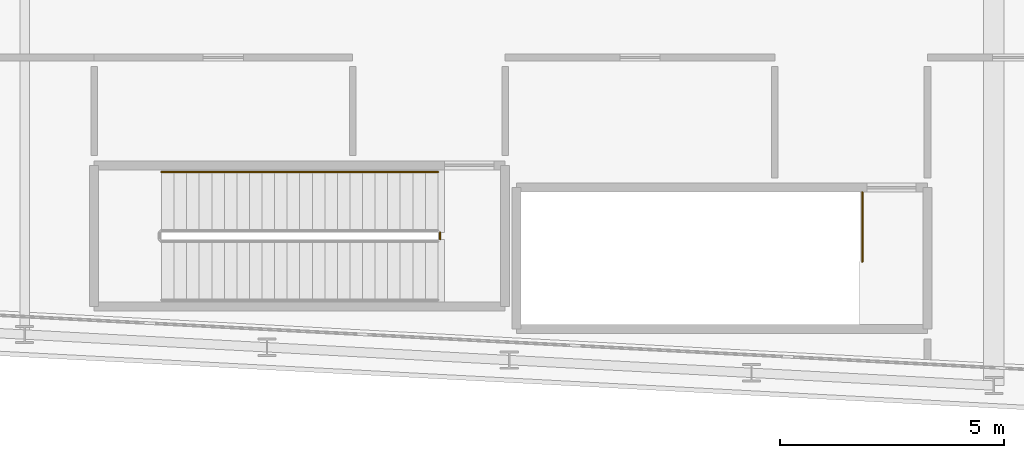
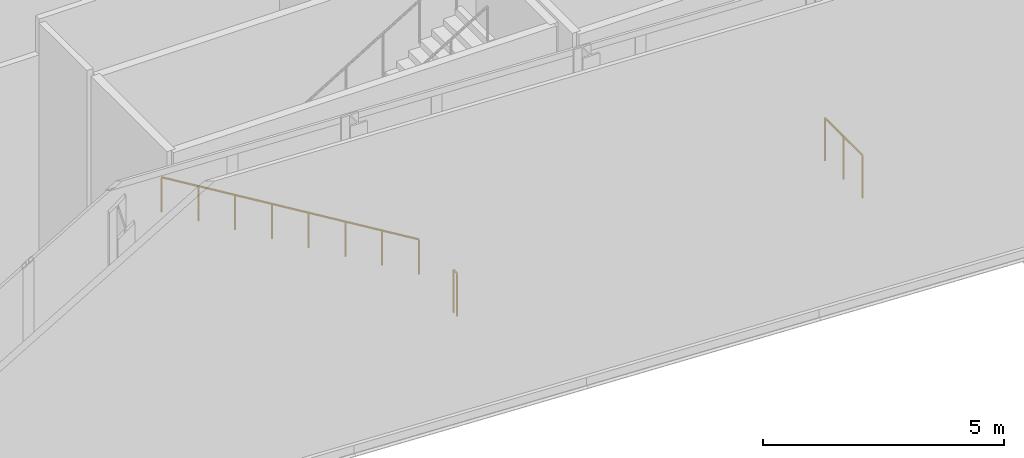
# One storey, part 35 of 38: 3 railings.
"""IFC4 building model written with IfcOpenShell, lengths in metres."""

from ifc_helpers import new_model, si_unit, direction, frame, origin, origin_2d, place, context, subcontext, project, spatial, circle, extrude, material, type_object, element, save


model = new_model("IFC4")

# Units and contexts
model_context = context("Model", 3, precision=1e-05, world=origin(), true_north=direction((0.0, 1.0)))
body_context = subcontext(model_context, "Body", "Model", "MODEL_VIEW")
ifc_project = project(units=[si_unit("LENGTHUNIT", "METRE"), si_unit("AREAUNIT", "SQUARE_METRE"), si_unit("VOLUMEUNIT", "CUBIC_METRE"), si_unit("PLANEANGLEUNIT", "RADIAN"), si_unit("MASSUNIT", "GRAM", prefix="KILO")], contexts=[model_context])

# Site, building, storey
site_placement = place(None, origin())
site = spatial("IfcSite", under=ifc_project, at=site_placement, CompositionType="ELEMENT")
building_placement = place(site_placement, origin())
building = spatial("IfcBuilding", under=site, at=building_placement, Name="Kheshtan School and Residences Tower", CompositionType="ELEMENT")
storey_placement = place(building_placement, frame((0.0, 0.0, 203.300048828125)))
storey = spatial("IfcBuildingStorey", under=building, at=storey_placement, Name="L48", CompositionType="ELEMENT", Elevation=203.300048828125)

# Railings
ifc_material_1 = material(Name="Stainless steel balustrade", Category="steel")
railing_type_1 = type_object("IfcRailingType", Name="Stair guard 1100", PredefinedType="GUARDRAIL", material=ifc_material_1)
railing_1_placement = place(storey_placement, frame((87.8701171875, 25.300048828125, 0.0)))
element("IfcRailing", 1, at=railing_1_placement, inside=storey, type_object=railing_type_1, Name="L48 ST4 top well guard 1", PredefinedType="GUARDRAIL", context=body_context, shape_type="SweptSolid", body=[
    extrude(circle(Radius=0.02392578125, at=origin_2d()), frame((0.0, 0.0, 1.076171875), z_axis=(0.0, -1.0, 0.0), x_axis=(1.0, 0.0, 0.0)), (0.0, 0.0, 1.0), 1.550048828125),
    extrude(circle(Radius=0.02099609375, at=origin_2d()), origin(), (0.0, 0.0, 1.0), 1.052001953125),
    extrude(circle(Radius=0.02099609375, at=origin_2d()), frame((0.0, -0.77490234375, 0.0)), (0.0, 0.0, 1.0), 1.052001953125),
    extrude(circle(Radius=0.02099609375, at=origin_2d()), frame((0.0, -1.550048828125, 0.0)), (0.0, 0.0, 1.0), 1.052001953125),
])
railing_2_placement = place(storey_placement, frame((78.4599609375, 24.39990234375, 0.0)))
element("IfcRailing", 2, at=railing_2_placement, inside=storey, type_object=railing_type_1, Name="L48 ST5 stair guard 2", PredefinedType="GUARDRAIL", context=body_context, shape_type="SweptSolid", body=[
    extrude(circle(Radius=0.02392578125, at=origin_2d()), frame((0.0, 0.0, 1.076171875), z_axis=(0.0, -1.0, 0.0), x_axis=(1.0, 0.0, 0.0)), (0.0, 0.0, 1.0), 0.14990234375),
    extrude(circle(Radius=0.02099609375, at=origin_2d()), origin(), (0.0, 0.0, 1.0), 1.052001953125),
    extrude(circle(Radius=0.02099609375, at=origin_2d()), frame((0.0, -0.14990234375, 0.0)), (0.0, 0.0, 1.0), 1.052001953125),
])
ifc_material_2 = material(Name="Stainless steel handrail", Category="steel")
railing_type_2 = type_object("IfcRailingType", Name="Stair handrail 900", PredefinedType="HANDRAIL", material=ifc_material_2)
railing_3_placement = place(storey_placement, frame((78.409912109375, 25.75, 0.16943359375)))
element("IfcRailing", 3, at=railing_3_placement, inside=storey, type_object=railing_type_2, Name="L48 ST5 stair handrail 1", PredefinedType="HANDRAIL", context=body_context, shape_type="SweptSolid", body=[
    extrude(circle(Radius=0.02392578125, at=origin_2d()), frame((0.0, 0.0, 0.8759765625), z_axis=(-0.855370820849, 0.0, 0.518016176234), x_axis=(0.0, -1.0, 0.0)), (0.0, 0.0, 1.0), 7.201416015625),
    extrude(circle(Radius=0.02099609375, at=origin_2d()), origin(), (0.0, 0.0, 1.0), 0.851806640625),
    extrude(circle(Radius=0.02099609375, at=origin_2d()), frame((-0.8798828125, 0.0, 0.532958984375)), (0.0, 0.0, 1.0), 0.851806640625),
    extrude(circle(Radius=0.02099609375, at=origin_2d()), frame((-1.760009765625, 0.0, 1.06591796875)), (0.0, 0.0, 1.0), 0.851806640625),
    extrude(circle(Radius=0.02099609375, at=origin_2d()), frame((-2.639892578125, 0.0, 1.598876953125)), (0.0, 0.0, 1.0), 0.851806640625),
    extrude(circle(Radius=0.02099609375, at=origin_2d()), frame((-3.52001953125, 0.0, 2.131591796875)), (0.0, 0.0, 1.0), 0.851806640625),
    extrude(circle(Radius=0.02099609375, at=origin_2d()), frame((-4.39990234375, 0.0, 2.66455078125)), (0.0, 0.0, 1.0), 0.851806640625),
    extrude(circle(Radius=0.02099609375, at=origin_2d()), frame((-5.280029296875, 0.0, 3.197509765625)), (0.0, 0.0, 1.0), 0.851806640625),
    extrude(circle(Radius=0.02099609375, at=origin_2d()), frame((-6.159912109375, 0.0, 3.73046875)), (0.0, 0.0, 1.0), 0.851806640625),
])

save(model, "model.ifc")
